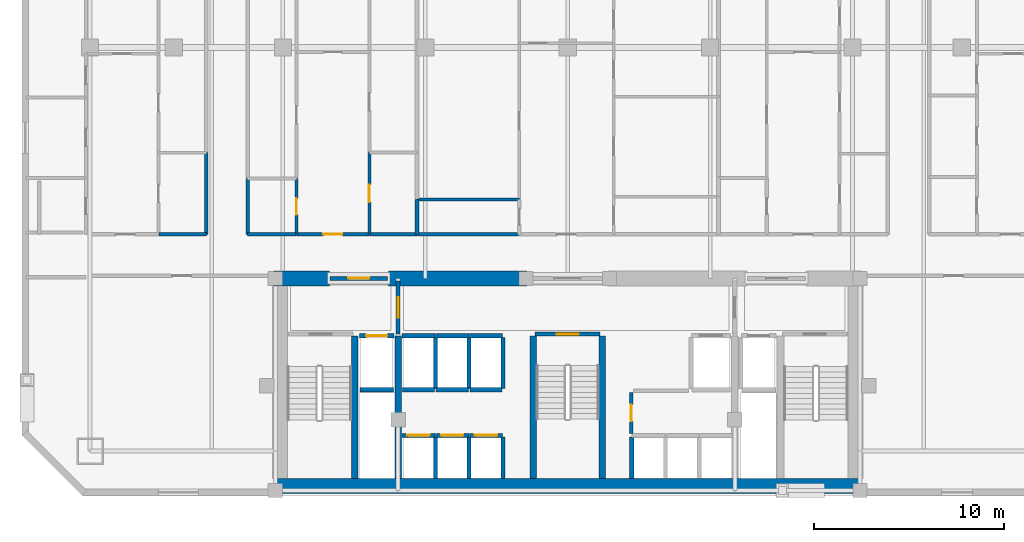
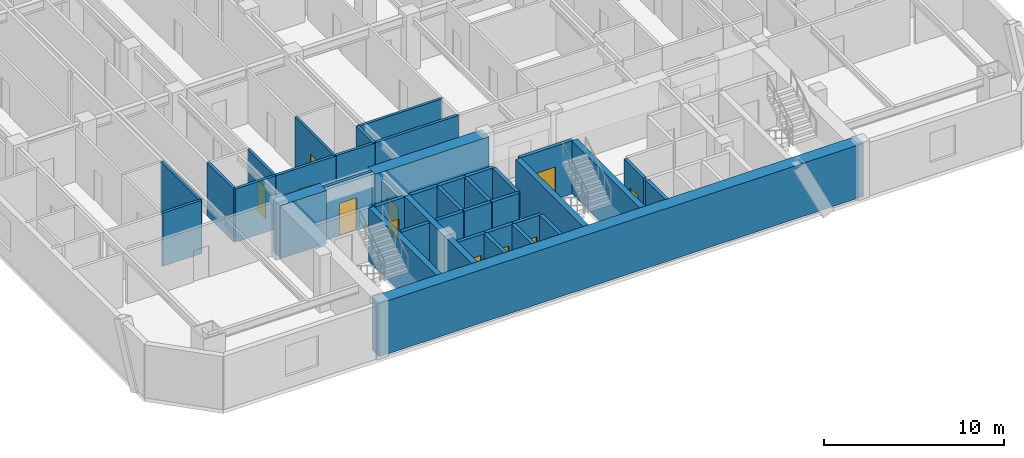
# One storey, part 3 of 10: 40 walls, 11 doors, 11 openings.
"""IFC4 building model written with IfcOpenShell, lengths in metres."""

from ifc_helpers import new_model, si_unit, direction, frame, frame_2d, origin, place, context, subcontext, project, spatial, rectangle, extrude, material, layer, layer_set, type_object, element, fill, save


model = new_model("IFC4")

# Units and contexts
model_context = context("Model", 3, precision=1e-05, world=origin(), true_north=direction((0.0, 1.0)))
body_context = subcontext(model_context, "Body", "Model", "MODEL_VIEW")
ifc_project = project(units=[si_unit("LENGTHUNIT", "METRE"), si_unit("AREAUNIT", "SQUARE_METRE"), si_unit("VOLUMEUNIT", "CUBIC_METRE"), si_unit("PLANEANGLEUNIT", "RADIAN"), si_unit("MASSUNIT", "GRAM", prefix="KILO")], contexts=[model_context])

# Site, building, storey
site_placement = place(None, origin())
site = spatial("IfcSite", under=ifc_project, at=site_placement, CompositionType="ELEMENT")
building_placement = place(site_placement, origin())
building = spatial("IfcBuilding", under=site, at=building_placement, Name="Ventersveld Concourse Tower", CompositionType="ELEMENT")
storey_placement = place(building_placement, frame((0.0, 0.0, 64.449951171875)))
storey = spatial("IfcBuildingStorey", under=building, at=storey_placement, Name="L15", CompositionType="ELEMENT", Elevation=64.449951171875)

# Walls
ifc_material_1 = material(Name="Concrete C60/75", Category="concrete")
ifc_layer_1 = layer(ifc_material_1, 0.35009765625)
ifc_layer_set_1 = layer_set([ifc_layer_1], Name="Concrete C60/75")
wall_type_1 = type_object("IfcWallType", Name="WL-CORE-350L", PredefinedType="SHEAR", material=ifc_layer_set_1)
for number, where, z_axis, x_axis, name in (
    (1, (17.5400390625, 0.919921875, 0.0), (0.0, 0.0, 1.0), (0.0, 1.0, 0.0), "L15 Core Internal Shear Web W-ST1-E"),
    (2, (19.820068359375, 0.919921875, 0.0), (0.0, 0.0, 1.0), (0.0, 1.0, 0.0), "L15 Core Internal Shear Web W-FF1-E"),
    (3, (26.93994140625, 0.919921875, 0.0), (0.0, 0.0, 1.0), (0.0, 1.0, 0.0), "L15 Core Internal Shear Web W-ST3-W"),
    (4, (30.56005859375, 0.919921875, 0.0), (0.0, 0.0, 1.0), (0.0, 1.0, 0.0), "L15 Core Internal Shear Web W-ST3-E"),
):
    element("IfcWall", number, at=place(storey_placement, frame(where, z_axis=z_axis, x_axis=x_axis)), inside=storey, type_object=wall_type_1, Name=name, PredefinedType="SHEAR", context=body_context, shape_type="SweptSolid", body=[
        extrude(rectangle(XDim=7.5, YDim=0.35009765625, at=frame_2d((3.75, 0.0))), origin(), (0.0, 0.0, 1.0), 3.60009765625),
    ])
ifc_layer_2 = layer(ifc_material_1, 0.800048828125)
ifc_layer_set_2 = layer_set([ifc_layer_2], Name="Concrete C60/75")
wall_type_2 = type_object("IfcWallType", Name="WL-CORE-800", PredefinedType="SHEAR", material=ifc_layer_set_2)
wall_1_placement = place(storey_placement, frame((13.25, 0.52001953125, 0.0), z_axis=(0.0, 0.0, 1.0), x_axis=(1.0, 0.0, 0.0)))
element("IfcWall", 5, at=wall_1_placement, inside=storey, type_object=wall_type_2, Name="L15 Rear Core South Shear Wall", PredefinedType="SHEAR", context=body_context, shape_type="SweptSolid", body=[
    extrude(rectangle(XDim=31.0, YDim=0.800048828125, at=frame_2d((15.5, 0.0))), origin(), (0.0, 0.0, 1.0), 3.60009765625),
])
wall_2_placement = place(storey_placement, frame((13.25, 11.449951171875, 0.0), z_axis=(0.0, 0.0, 1.0), x_axis=(1.0, 0.0, 0.0)))
element("IfcWall", 6, at=wall_2_placement, inside=storey, type_object=wall_type_2, Name="L15 Rear Core North Shear Wall NW", PredefinedType="SHEAR", context=body_context, shape_type="SweptSolid", body=[
    extrude(rectangle(XDim=2.949951171875, YDim=0.800048828125, at=frame_2d((1.47509765625, 0.0))), origin(), (0.0, 0.0, 1.0), 3.60009765625),
])
wall_3_placement = place(storey_placement, frame((19.300048828125, 11.449951171875, 0.0), z_axis=(0.0, 0.0, 1.0), x_axis=(1.0, 0.0, 0.0)))
element("IfcWall", 7, at=wall_3_placement, inside=storey, type_object=wall_type_2, Name="L15 Rear Core North Shear Wall NML", PredefinedType="SHEAR", context=body_context, shape_type="SweptSolid", body=[
    extrude(rectangle(XDim=7.300048828125, YDim=0.800048828125, at=frame_2d((3.64990234375, 0.0))), origin(), (0.0, 0.0, 1.0), 3.60009765625),
])

# Wall, opening, door
ifc_material_2 = material(Name="Fire-rated autoclaved aerated masonry blockwork", Category="masonry")
ifc_layer_3 = layer(ifc_material_2, 0.179931640625)
ifc_layer_set_3 = layer_set([ifc_layer_3], Name="Fire-rated autoclaved aerated masonry blockwork")
wall_type_3 = type_object("IfcWallType", Name="WL-CORR-180", PredefinedType="PARTITIONING", material=ifc_layer_set_3)
wall_4_placement = place(storey_placement, frame((32.10009765625, 3.280029296875, 0.0), z_axis=(0.0, 0.0, 1.0), x_axis=(0.0, 1.0, 0.0)))
wall_4 = element("IfcWall", 8, at=wall_4_placement, inside=storey, type_object=wall_type_3, Name="L15 Core Passage Wall SP-L15-CBAY2", PredefinedType="PARTITIONING", context=body_context, shape_type="SweptSolid", body=[
    extrude(rectangle(XDim=2.169921875, YDim=0.179931640625, at=frame_2d((1.0849609375, 0.0))), origin(), (0.0, 0.0, 1.0), 3.60009765625),
])
opening_1_placement = place(wall_4_placement, frame((0.64501953125, 0.0, 0.0)))
opening_1 = element("IfcOpeningElement", 9, at=opening_1_placement, cuts=wall_4, Name="Opening FD5", PredefinedType="OPENING", context=body_context, shape_type="SweptSolid", body=[
    extrude(rectangle(XDim=0.8798828125, YDim=2.050048828125, at=frame_2d((0.43994140625, 1.02490234375))), frame((0.0, 0.10009765625, 0.0), z_axis=(0.0, -1.0, 0.0), x_axis=(1.0, 0.0, 0.0)), (0.0, 0.0, 1.0), 0.199951171875),
])
ifc_material_3 = material(Name="Galvanised painted steel", Category="steel")
door_type_1 = type_object("IfcDoorType", Name="DR-RISER-088", OperationType="NOTDEFINED", PredefinedType="DOOR", material=ifc_material_3)
door_1_placement = place(opening_1_placement, origin())
door_1 = element("IfcDoor", 10, at=door_1_placement, inside=storey, type_object=door_type_1, Name="L15 Core Room Door L15 Core Parcel and Mail Store (CD-L15-0654)", OperationType="SINGLE_SWING_LEFT", OverallHeight=2.050048828125, OverallWidth=0.8798828125, PredefinedType="DOOR", context=body_context, shape_type="SweptSolid", body=[
    extrude(rectangle(XDim=0.8798828125, YDim=2.050048828125, at=frame_2d((0.43994140625, 1.02490234375))), frame((0.0, 0.02490234375, 0.0), z_axis=(0.0, -1.0, 0.0), x_axis=(1.0, 0.0, 0.0)), (0.0, 0.0, 1.0), 0.050048828125),
])
fill(opening_1, door_1)

# Walls
wall_5_placement = place(storey_placement, frame((9.7099609375, 13.764892578125, 0.0), z_axis=(0.0, 0.0, 1.0), x_axis=(0.0, 1.0, 0.0)))
element("IfcWall", 11, at=wall_5_placement, inside=storey, type_object=wall_type_3, Name="L15 Interior Partition SP-L15-COR-SP-L15-15NW-KIT", PredefinedType="PARTITIONING", context=body_context, shape_type="SweptSolid", body=[
    extrude(rectangle(XDim=4.30859375, YDim=0.179931640625, at=frame_2d((2.154296875, 0.0))), origin(), (0.0, 0.0, 1.0), 3.60009765625),
])
wall_6_placement = place(storey_placement, frame((7.234130859375, 13.77001953125, 0.0), z_axis=(0.0, 0.0, 1.0), x_axis=(1.0, 0.0, 0.0)))
element("IfcWall", 12, at=wall_6_placement, inside=storey, type_object=wall_type_3, Name="L15 Interior Partition SP-L15-COR-SP-L15-15NW-KIT", PredefinedType="PARTITIONING", context=body_context, shape_type="SweptSolid", body=[
    extrude(rectangle(XDim=2.48095703125, YDim=0.179931640625, at=frame_2d((1.240478515625, 0.0))), origin(), (0.0, 0.0, 1.0), 3.60009765625),
])

# Wall, opening, door
wall_7_placement = place(storey_placement, frame((14.461181640625, 13.77001953125, 0.0), z_axis=(0.0, 0.0, 1.0), x_axis=(1.0, 0.0, 0.0)))
wall_7 = element("IfcWall", 13, at=wall_7_placement, inside=storey, type_object=wall_type_3, Name="L15 Interior Partition SP-L15-COR-SP-L15-15CW-FOY", PredefinedType="PARTITIONING", context=body_context, shape_type="SweptSolid", body=[
    extrude(rectangle(XDim=3.850341796875, YDim=0.179931640625, at=frame_2d((1.92529296875, 0.0))), origin(), (0.0, 0.0, 1.0), 3.60009765625),
])
opening_2_placement = place(wall_7_placement, frame((1.42529296875, 0.0, 0.0)))
opening_2 = element("IfcOpeningElement", 14, at=opening_2_placement, cuts=wall_7, Name="Opening FD3", PredefinedType="OPENING", context=body_context, shape_type="SweptSolid", body=[
    extrude(rectangle(XDim=1.0, YDim=2.14990234375, at=frame_2d((0.5, 1.074951171875))), frame((0.0, 0.10009765625, 0.0), z_axis=(0.0, -1.0, 0.0), x_axis=(1.0, 0.0, 0.0)), (0.0, 0.0, 1.0), 0.199951171875),
])
ifc_material_4 = material(Name="Solid-core hardwood veneer timber", Category="wood")
door_type_2 = type_object("IfcDoorType", Name="DR-FLAT-100", OperationType="NOTDEFINED", PredefinedType="DOOR", material=ifc_material_4)
door_2_placement = place(opening_2_placement, origin())
door_2 = element("IfcDoor", 15, at=door_2_placement, inside=storey, type_object=door_type_2, Name="L15 Interior Door SP-L15-COR to SP-L15-15CW-FOY (FD-L15-0659)", OperationType="SINGLE_SWING_LEFT", OverallHeight=2.14990234375, OverallWidth=1.0, PredefinedType="DOOR", context=body_context, shape_type="SweptSolid", body=[
    extrude(rectangle(XDim=1.0, YDim=2.14990234375, at=frame_2d((0.5, 1.074951171875))), frame((0.0, 0.02490234375, 0.0), z_axis=(0.0, -1.0, 0.0), x_axis=(1.0, 0.0, 0.0)), (0.0, 0.0, 1.0), 0.050048828125),
])
fill(opening_2, door_2)

# Walls
wall_8_placement = place(storey_placement, frame((11.889892578125, 13.764892578125, 0.0), z_axis=(0.0, 0.0, 1.0), x_axis=(0.0, 1.0, 0.0)))
element("IfcWall", 16, at=wall_8_placement, inside=storey, type_object=wall_type_3, Name="L15 Interior Partition SP-L15-COR-SP-L15-15CW-BATH", PredefinedType="PARTITIONING", context=body_context, shape_type="SweptSolid", body=[
    extrude(rectangle(XDim=2.944580078125, YDim=0.179931640625, at=frame_2d((1.47216796875, 0.0))), origin(), (0.0, 0.0, 1.0), 3.60009765625),
])
wall_9_placement = place(storey_placement, frame((11.885009765625, 13.77001953125, 0.0), z_axis=(0.0, 0.0, 1.0), x_axis=(1.0, 0.0, 0.0)))
element("IfcWall", 17, at=wall_9_placement, inside=storey, type_object=wall_type_3, Name="L15 Interior Partition SP-L15-COR-SP-L15-15CW-BATH", PredefinedType="PARTITIONING", context=body_context, shape_type="SweptSolid", body=[
    extrude(rectangle(XDim=2.546142578125, YDim=0.179931640625, at=frame_2d((1.27294921875, 0.0))), origin(), (0.0, 0.0, 1.0), 3.60009765625),
])
wall_10_placement = place(storey_placement, frame((18.341552734375, 13.77001953125, 0.0), z_axis=(0.0, 0.0, 1.0), x_axis=(1.0, 0.0, 0.0)))
element("IfcWall", 18, at=wall_10_placement, inside=storey, type_object=wall_type_3, Name="L15 Interior Partition SP-L15-COR-SP-L15-15CW-KIT", PredefinedType="PARTITIONING", context=body_context, shape_type="SweptSolid", body=[
    extrude(rectangle(XDim=2.473388671875, YDim=0.179931640625, at=frame_2d((1.23681640625, 0.0))), origin(), (0.0, 0.0, 1.0), 3.60009765625),
])
wall_11_placement = place(storey_placement, frame((20.844970703125, 13.77001953125, 0.0), z_axis=(0.0, 0.0, 1.0), x_axis=(1.0, 0.0, 0.0)))
element("IfcWall", 19, at=wall_11_placement, inside=storey, type_object=wall_type_3, Name="L15 Interior Partition SP-L15-COR-SP-L15-15CM-BATH", PredefinedType="PARTITIONING", context=body_context, shape_type="SweptSolid", body=[
    extrude(rectangle(XDim=5.314697265625, YDim=0.179931640625, at=frame_2d((2.6572265625, 0.0))), origin(), (0.0, 0.0, 1.0), 3.60009765625),
])
ifc_layer_4 = layer(ifc_material_2, 0.199951171875)
ifc_layer_set_4 = layer_set([ifc_layer_4], Name="Fire-rated autoclaved aerated masonry blockwork")
wall_type_4 = type_object("IfcWallType", Name="WL-DEMISE-200", PredefinedType="PARTITIONING", material=ifc_layer_set_4)
wall_12_placement = place(storey_placement, frame((20.81005859375, 13.764892578125, 0.0), z_axis=(0.0, 0.0, 1.0), x_axis=(0.0, 1.0, 0.0)))
element("IfcWall", 20, at=wall_12_placement, inside=storey, type_object=wall_type_4, Name="L15 Interior Partition SP-L15-15CW-KIT-SP-L15-15CM-BATH", PredefinedType="PARTITIONING", context=body_context, shape_type="SweptSolid", body=[
    extrude(rectangle(XDim=1.840087890625, YDim=0.199951171875, at=frame_2d((0.919921875, 0.0))), origin(), (0.0, 0.0, 1.0), 3.60009765625),
])
ifc_layer_5 = layer(ifc_material_2, 0.219970703125)
ifc_layer_set_5 = layer_set([ifc_layer_5], Name="Fire-rated autoclaved aerated masonry blockwork")
wall_type_5 = type_object("IfcWallType", Name="WL-HOIST-220", PredefinedType="SOLIDWALL", material=ifc_layer_set_5)
wall_13_placement = place(storey_placement, frame((17.800048828125, 5.590087890625, 0.0), z_axis=(0.0, 0.0, 1.0), x_axis=(1.0, 0.0, 0.0)))
element("IfcWall", 21, at=wall_13_placement, inside=storey, type_object=wall_type_5, Name="L15 Lift Hoistway Back Wall FFL-01", PredefinedType="SOLIDWALL", context=body_context, shape_type="SweptSolid", body=[
    extrude(rectangle(XDim=1.780029296875, YDim=0.219970703125, at=frame_2d((0.89013671875, 0.0))), origin(), (0.0, 0.0, 1.0), 3.60009765625),
])

# Wall, opening, door
wall_14_placement = place(storey_placement, frame((17.780029296875, 8.429931640625, 0.0), z_axis=(0.0, 0.0, 1.0), x_axis=(1.0, 0.0, 0.0)))
wall_14 = element("IfcWall", 22, at=wall_14_placement, inside=storey, type_object=wall_type_5, Name="L15 Lift Hoistway Front Wall FFL-01", PredefinedType="SOLIDWALL", context=body_context, shape_type="SweptSolid", body=[
    extrude(rectangle(XDim=1.820068359375, YDim=0.219970703125, at=frame_2d((0.91015625, 0.0))), origin(), (0.0, 0.0, 1.0), 3.60009765625),
])
opening_3_placement = place(wall_14_placement, frame((0.35009765625, 0.0, 0.0)))
opening_3 = element("IfcOpeningElement", 23, at=opening_3_placement, cuts=wall_14, Name="Opening LD1", PredefinedType="OPENING", context=body_context, shape_type="SweptSolid", body=[
    extrude(rectangle(XDim=1.1201171875, YDim=2.25, at=frame_2d((0.56005859375, 1.125))), frame((0.0, 0.1201171875, 0.0), z_axis=(0.0, -1.0, 0.0), x_axis=(1.0, 0.0, 0.0)), (0.0, 0.0, 1.0), 0.239990234375),
])
ifc_material_5 = material(Name="Brushed stainless steel 316", Category="steel")
door_type_3 = type_object("IfcDoorType", Name="LD-FF-112", OperationType="SLIDING_TO_LEFT", PredefinedType="DOOR", material=ifc_material_5)
door_3_placement = place(opening_3_placement, origin())
door_3 = element("IfcDoor", 24, at=door_3_placement, inside=storey, type_object=door_type_3, Name="L15 Lift landing door FFL-01 (LD-L15-FFL-01)", OperationType="SLIDING_TO_LEFT", OverallHeight=2.25, OverallWidth=1.1201171875, PredefinedType="DOOR", context=body_context, shape_type="SweptSolid", body=[
    extrude(rectangle(XDim=1.1201171875, YDim=2.25, at=frame_2d((0.56005859375, 1.125))), frame((0.0, 0.02490234375, 0.0), z_axis=(0.0, -1.0, 0.0), x_axis=(1.0, 0.0, 0.0)), (0.0, 0.0, 1.0), 0.050048828125),
])
fill(opening_3, door_3)

# Wall
wall_15_placement = place(storey_placement, frame((21.780029296875, 0.89990234375, 0.0), z_axis=(0.0, 0.0, 1.0), x_axis=(0.0, 1.0, 0.0)))
element("IfcWall", 25, at=wall_15_placement, inside=storey, type_object=wall_type_5, Name="L15 Lift Hoistway Side Wall PL-01E", PredefinedType="SOLIDWALL", context=body_context, shape_type="SweptSolid", body=[
    extrude(rectangle(XDim=2.2001953125, YDim=0.219970703125, at=frame_2d((1.10009765625, 0.0))), origin(), (0.0, 0.0, 1.0), 3.60009765625),
])

# Wall, opening, door
wall_16_placement = place(storey_placement, frame((20.02001953125, 3.179931640625, 0.0), z_axis=(0.0, 0.0, 1.0), x_axis=(1.0, 0.0, 0.0)))
wall_16 = element("IfcWall", 26, at=wall_16_placement, inside=storey, type_object=wall_type_5, Name="L15 Lift Hoistway Front Wall PL-01", PredefinedType="SOLIDWALL", context=body_context, shape_type="SweptSolid", body=[
    extrude(rectangle(XDim=1.739990234375, YDim=0.219970703125, at=frame_2d((0.8701171875, 0.0))), origin(), (0.0, 0.0, 1.0), 3.60009765625),
])
opening_4_placement = place(wall_16_placement, frame((0.280029296875, 0.0, 0.0)))
opening_4 = element("IfcOpeningElement", 27, at=opening_4_placement, cuts=wall_16, Name="Opening LD2", PredefinedType="OPENING", context=body_context, shape_type="SweptSolid", body=[
    extrude(rectangle(XDim=1.179931640625, YDim=2.199951171875, at=frame_2d((0.58984375, 1.10009765625))), frame((0.0, 0.1201171875, 0.0), z_axis=(0.0, -1.0, 0.0), x_axis=(1.0, 0.0, 0.0)), (0.0, 0.0, 1.0), 0.239990234375),
])
door_type_4 = type_object("IfcDoorType", Name="LD-PAX-118", OperationType="SLIDING_TO_LEFT", PredefinedType="DOOR", material=ifc_material_5)
door_4_placement = place(opening_4_placement, origin())
door_4 = element("IfcDoor", 28, at=door_4_placement, inside=storey, type_object=door_type_4, Name="L15 Lift landing door PL-01 (LD-L15-PL-01)", OperationType="SLIDING_TO_RIGHT", OverallHeight=2.199951171875, OverallWidth=1.179931640625, PredefinedType="DOOR", context=body_context, shape_type="SweptSolid", body=[
    extrude(rectangle(XDim=1.179931640625, YDim=2.199951171875, at=frame_2d((0.58984375, 1.10009765625))), frame((0.0, 0.02490234375, 0.0), z_axis=(0.0, -1.0, 0.0), x_axis=(1.0, 0.0, 0.0)), (0.0, 0.0, 1.0), 0.050048828125),
])
fill(opening_4, door_4)

# Wall
wall_17_placement = place(storey_placement, frame((23.56005859375, 0.89990234375, 0.0), z_axis=(0.0, 0.0, 1.0), x_axis=(0.0, 1.0, 0.0)))
element("IfcWall", 29, at=wall_17_placement, inside=storey, type_object=wall_type_5, Name="L15 Lift Hoistway Side Wall PL-02E", PredefinedType="SOLIDWALL", context=body_context, shape_type="SweptSolid", body=[
    extrude(rectangle(XDim=2.2001953125, YDim=0.219970703125, at=frame_2d((1.10009765625, 0.0))), origin(), (0.0, 0.0, 1.0), 3.60009765625),
])

# Wall, opening, door
wall_18_placement = place(storey_placement, frame((21.800048828125, 3.179931640625, 0.0), z_axis=(0.0, 0.0, 1.0), x_axis=(1.0, 0.0, 0.0)))
wall_18 = element("IfcWall", 30, at=wall_18_placement, inside=storey, type_object=wall_type_5, Name="L15 Lift Hoistway Front Wall PL-02", PredefinedType="SOLIDWALL", context=body_context, shape_type="SweptSolid", body=[
    extrude(rectangle(XDim=1.739990234375, YDim=0.219970703125, at=frame_2d((0.8701171875, 0.0))), origin(), (0.0, 0.0, 1.0), 3.60009765625),
])
opening_5_placement = place(wall_18_placement, frame((0.280029296875, 0.0, 0.0)))
opening_5 = element("IfcOpeningElement", 31, at=opening_5_placement, cuts=wall_18, Name="Opening LD2", PredefinedType="OPENING", context=body_context, shape_type="SweptSolid", body=[
    extrude(rectangle(XDim=1.179931640625, YDim=2.199951171875, at=frame_2d((0.58984375, 1.10009765625))), frame((0.0, 0.1201171875, 0.0), z_axis=(0.0, -1.0, 0.0), x_axis=(1.0, 0.0, 0.0)), (0.0, 0.0, 1.0), 0.239990234375),
])
door_5_placement = place(opening_5_placement, origin())
door_5 = element("IfcDoor", 32, at=door_5_placement, inside=storey, type_object=door_type_4, Name="L15 Lift landing door PL-02 (LD-L15-PL-02)", OperationType="SLIDING_TO_LEFT", OverallHeight=2.199951171875, OverallWidth=1.179931640625, PredefinedType="DOOR", context=body_context, shape_type="SweptSolid", body=[
    extrude(rectangle(XDim=1.179931640625, YDim=2.199951171875, at=frame_2d((0.58984375, 1.10009765625))), frame((0.0, 0.02490234375, 0.0), z_axis=(0.0, -1.0, 0.0), x_axis=(1.0, 0.0, 0.0)), (0.0, 0.0, 1.0), 0.050048828125),
])
fill(opening_5, door_5)

# Wall
wall_19_placement = place(storey_placement, frame((25.340087890625, 0.89990234375, 0.0), z_axis=(0.0, 0.0, 1.0), x_axis=(0.0, 1.0, 0.0)))
element("IfcWall", 33, at=wall_19_placement, inside=storey, type_object=wall_type_5, Name="L15 Lift Hoistway Side Wall PL-03E", PredefinedType="SOLIDWALL", context=body_context, shape_type="SweptSolid", body=[
    extrude(rectangle(XDim=2.2001953125, YDim=0.219970703125, at=frame_2d((1.10009765625, 0.0))), origin(), (0.0, 0.0, 1.0), 3.60009765625),
])

# Wall, opening, door
wall_20_placement = place(storey_placement, frame((23.580078125, 3.179931640625, 0.0), z_axis=(0.0, 0.0, 1.0), x_axis=(1.0, 0.0, 0.0)))
wall_20 = element("IfcWall", 34, at=wall_20_placement, inside=storey, type_object=wall_type_5, Name="L15 Lift Hoistway Front Wall PL-03", PredefinedType="SOLIDWALL", context=body_context, shape_type="SweptSolid", body=[
    extrude(rectangle(XDim=1.739990234375, YDim=0.219970703125, at=frame_2d((0.8701171875, 0.0))), origin(), (0.0, 0.0, 1.0), 3.60009765625),
])
opening_6_placement = place(wall_20_placement, frame((0.280029296875, 0.0, 0.0)))
opening_6 = element("IfcOpeningElement", 35, at=opening_6_placement, cuts=wall_20, Name="Opening LD2", PredefinedType="OPENING", context=body_context, shape_type="SweptSolid", body=[
    extrude(rectangle(XDim=1.179931640625, YDim=2.199951171875, at=frame_2d((0.58984375, 1.10009765625))), frame((0.0, 0.1201171875, 0.0), z_axis=(0.0, -1.0, 0.0), x_axis=(1.0, 0.0, 0.0)), (0.0, 0.0, 1.0), 0.239990234375),
])
door_6_placement = place(opening_6_placement, origin())
door_6 = element("IfcDoor", 36, at=door_6_placement, inside=storey, type_object=door_type_4, Name="L15 Lift landing door PL-03 (LD-L15-PL-03)", OperationType="SLIDING_TO_RIGHT", OverallHeight=2.199951171875, OverallWidth=1.179931640625, PredefinedType="DOOR", context=body_context, shape_type="SweptSolid", body=[
    extrude(rectangle(XDim=1.179931640625, YDim=2.199951171875, at=frame_2d((0.58984375, 1.10009765625))), frame((0.0, 0.02490234375, 0.0), z_axis=(0.0, -1.0, 0.0), x_axis=(1.0, 0.0, 0.0)), (0.0, 0.0, 1.0), 0.050048828125),
])
fill(opening_6, door_6)

# Walls
wall_21_placement = place(storey_placement, frame((32.1201171875, 0.89990234375, 0.0), z_axis=(0.0, 0.0, 1.0), x_axis=(0.0, 1.0, 0.0)))
element("IfcWall", 37, at=wall_21_placement, inside=storey, type_object=wall_type_5, Name="L15 Lift Hoistway Side Wall PM-01W", PredefinedType="SOLIDWALL", context=body_context, shape_type="SweptSolid", body=[
    extrude(rectangle(XDim=2.2001953125, YDim=0.219970703125, at=frame_2d((1.10009765625, 0.0))), origin(), (0.0, 0.0, 1.0), 3.60009765625),
])
wall_22_placement = place(storey_placement, frame((20.0400390625, 5.590087890625, 0.0), z_axis=(0.0, 0.0, 1.0), x_axis=(1.0, 0.0, 0.0)))
element("IfcWall", 38, at=wall_22_placement, inside=storey, type_object=wall_type_5, Name="L15 Lift Hoistway Back Wall PH-01", PredefinedType="SOLIDWALL", context=body_context, shape_type="SweptSolid", body=[
    extrude(rectangle(XDim=1.699951171875, YDim=0.219970703125, at=frame_2d((0.85009765625, 0.0))), origin(), (0.0, 0.0, 1.0), 3.60009765625),
])
wall_23_placement = place(storey_placement, frame((21.780029296875, 5.64990234375, 0.0), z_axis=(0.0, 0.0, 1.0), x_axis=(0.0, 1.0, 0.0)))
element("IfcWall", 39, at=wall_23_placement, inside=storey, type_object=wall_type_5, Name="L15 Lift Hoistway Side Wall PH-01E", PredefinedType="SOLIDWALL", context=body_context, shape_type="SweptSolid", body=[
    extrude(rectangle(XDim=2.7001953125, YDim=0.219970703125, at=frame_2d((1.35009765625, 0.0))), origin(), (0.0, 0.0, 1.0), 3.60009765625),
])
wall_24_placement = place(storey_placement, frame((20.02001953125, 8.429931640625, 0.0), z_axis=(0.0, 0.0, 1.0), x_axis=(1.0, 0.0, 0.0)))
element("IfcWall", 40, at=wall_24_placement, inside=storey, type_object=wall_type_5, Name="L15 Lift Hoistway Front Wall PH-01", PredefinedType="SOLIDWALL", context=body_context, shape_type="SweptSolid", body=[
    extrude(rectangle(XDim=1.739990234375, YDim=0.219970703125, at=frame_2d((0.8701171875, 0.0))), origin(), (0.0, 0.0, 1.0), 3.60009765625),
])
wall_25_placement = place(storey_placement, frame((21.820068359375, 5.590087890625, 0.0), z_axis=(0.0, 0.0, 1.0), x_axis=(1.0, 0.0, 0.0)))
element("IfcWall", 41, at=wall_25_placement, inside=storey, type_object=wall_type_5, Name="L15 Lift Hoistway Back Wall PH-02", PredefinedType="SOLIDWALL", context=body_context, shape_type="SweptSolid", body=[
    extrude(rectangle(XDim=1.699951171875, YDim=0.219970703125, at=frame_2d((0.85009765625, 0.0))), origin(), (0.0, 0.0, 1.0), 3.60009765625),
])
wall_26_placement = place(storey_placement, frame((23.56005859375, 5.64990234375, 0.0), z_axis=(0.0, 0.0, 1.0), x_axis=(0.0, 1.0, 0.0)))
element("IfcWall", 42, at=wall_26_placement, inside=storey, type_object=wall_type_5, Name="L15 Lift Hoistway Side Wall PH-02E", PredefinedType="SOLIDWALL", context=body_context, shape_type="SweptSolid", body=[
    extrude(rectangle(XDim=2.7001953125, YDim=0.219970703125, at=frame_2d((1.35009765625, 0.0))), origin(), (0.0, 0.0, 1.0), 3.60009765625),
])
wall_27_placement = place(storey_placement, frame((21.800048828125, 8.429931640625, 0.0), z_axis=(0.0, 0.0, 1.0), x_axis=(1.0, 0.0, 0.0)))
element("IfcWall", 43, at=wall_27_placement, inside=storey, type_object=wall_type_5, Name="L15 Lift Hoistway Front Wall PH-02", PredefinedType="SOLIDWALL", context=body_context, shape_type="SweptSolid", body=[
    extrude(rectangle(XDim=1.739990234375, YDim=0.219970703125, at=frame_2d((0.8701171875, 0.0))), origin(), (0.0, 0.0, 1.0), 3.60009765625),
])
wall_28_placement = place(storey_placement, frame((23.60009765625, 5.590087890625, 0.0), z_axis=(0.0, 0.0, 1.0), x_axis=(1.0, 0.0, 0.0)))
element("IfcWall", 44, at=wall_28_placement, inside=storey, type_object=wall_type_5, Name="L15 Lift Hoistway Back Wall PH-03", PredefinedType="SOLIDWALL", context=body_context, shape_type="SweptSolid", body=[
    extrude(rectangle(XDim=1.699951171875, YDim=0.219970703125, at=frame_2d((0.85009765625, 0.0))), origin(), (0.0, 0.0, 1.0), 3.60009765625),
])
wall_29_placement = place(storey_placement, frame((25.340087890625, 5.64990234375, 0.0), z_axis=(0.0, 0.0, 1.0), x_axis=(0.0, 1.0, 0.0)))
element("IfcWall", 45, at=wall_29_placement, inside=storey, type_object=wall_type_5, Name="L15 Lift Hoistway Side Wall PH-03E", PredefinedType="SOLIDWALL", context=body_context, shape_type="SweptSolid", body=[
    extrude(rectangle(XDim=2.7001953125, YDim=0.219970703125, at=frame_2d((1.35009765625, 0.0))), origin(), (0.0, 0.0, 1.0), 3.60009765625),
])
wall_30_placement = place(storey_placement, frame((23.580078125, 8.429931640625, 0.0), z_axis=(0.0, 0.0, 1.0), x_axis=(1.0, 0.0, 0.0)))
element("IfcWall", 46, at=wall_30_placement, inside=storey, type_object=wall_type_5, Name="L15 Lift Hoistway Front Wall PH-03", PredefinedType="SOLIDWALL", context=body_context, shape_type="SweptSolid", body=[
    extrude(rectangle(XDim=1.739990234375, YDim=0.219970703125, at=frame_2d((0.8701171875, 0.0))), origin(), (0.0, 0.0, 1.0), 3.60009765625),
])

# Wall, opening, door
wall_31_placement = place(storey_placement, frame((27.0400390625, 8.52001953125, 0.0), z_axis=(0.0, 0.0, 1.0), x_axis=(1.0, 0.0, 0.0)))
wall_31 = element("IfcWall", 47, at=wall_31_placement, inside=storey, type_object=wall_type_5, Name="L15 Escape Stair ST03 Fire Wall", PredefinedType="SOLIDWALL", context=body_context, shape_type="SweptSolid", body=[
    extrude(rectangle(XDim=3.419921875, YDim=0.219970703125, at=frame_2d((1.7099609375, 0.0))), origin(), (0.0, 0.0, 1.0), 3.60009765625),
])
opening_7_placement = place(wall_31_placement, frame((1.135009765625, 0.0, 0.0)))
opening_7 = element("IfcOpeningElement", 48, at=opening_7_placement, cuts=wall_31, Name="Opening FD1", PredefinedType="OPENING", context=body_context, shape_type="SweptSolid", body=[
    extrude(rectangle(XDim=1.14990234375, YDim=2.199951171875, at=frame_2d((0.574951171875, 1.10009765625))), frame((0.0, 0.1201171875, 0.0), z_axis=(0.0, -1.0, 0.0), x_axis=(1.0, 0.0, 0.0)), (0.0, 0.0, 1.0), 0.239990234375),
])
door_type_5 = type_object("IfcDoorType", Name="DR-STAIR-115", OperationType="NOTDEFINED", PredefinedType="DOOR", material=ifc_material_3)
door_7_placement = place(opening_7_placement, origin())
door_7 = element("IfcDoor", 49, at=door_7_placement, inside=storey, type_object=door_type_5, Name="L15 Escape Stair Door ST03 (SD-L15-0648)", OperationType="SINGLE_SWING_LEFT", OverallHeight=2.199951171875, OverallWidth=1.14990234375, PredefinedType="DOOR", context=body_context, shape_type="SweptSolid", body=[
    extrude(rectangle(XDim=1.14990234375, YDim=2.199951171875, at=frame_2d((0.574951171875, 1.10009765625))), frame((0.0, 0.02490234375, 0.0), z_axis=(0.0, -1.0, 0.0), x_axis=(1.0, 0.0, 0.0)), (0.0, 0.0, 1.0), 0.050048828125),
])
fill(opening_7, door_7)

wall_32_placement = place(storey_placement, frame((19.820068359375, 8.52001953125, 0.0), z_axis=(0.0, 0.0, 1.0), x_axis=(0.0, 1.0, 0.0)))
wall_32 = element("IfcWall", 50, at=wall_32_placement, inside=storey, type_object=wall_type_5, Name="L15 Firefighting Lobby Smoke-Stop Wall FFLW-SEP", PredefinedType="SOLIDWALL", context=body_context, shape_type="SweptSolid", body=[
    extrude(rectangle(XDim=2.800048828125, YDim=0.219970703125, at=frame_2d((1.39990234375, 0.0))), origin(), (0.0, 0.0, 1.0), 3.0556640625),
])
opening_8_placement = place(wall_32_placement, frame((0.85009765625, 0.0, 0.0)))
opening_8 = element("IfcOpeningElement", 51, at=opening_8_placement, cuts=wall_32, Name="Opening FD2", PredefinedType="OPENING", context=body_context, shape_type="SweptSolid", body=[
    extrude(rectangle(XDim=1.10009765625, YDim=2.199951171875, at=frame_2d((0.550048828125, 1.10009765625))), frame((0.0, 0.1201171875, 0.0), z_axis=(0.0, -1.0, 0.0), x_axis=(1.0, 0.0, 0.0)), (0.0, 0.0, 1.0), 0.239990234375),
])
door_type_6 = type_object("IfcDoorType", Name="DR-FFL-110", OperationType="NOTDEFINED", PredefinedType="DOOR", material=ifc_material_3)
door_8_placement = place(opening_8_placement, origin())
door_8 = element("IfcDoor", 52, at=door_8_placement, inside=storey, type_object=door_type_6, Name="L15 Firefighting Lobby Door FFLW-SEP (FD-L15-0649)", OperationType="SINGLE_SWING_LEFT", OverallHeight=2.199951171875, OverallWidth=1.10009765625, PredefinedType="DOOR", context=body_context, shape_type="SweptSolid", body=[
    extrude(rectangle(XDim=1.10009765625, YDim=2.199951171875, at=frame_2d((0.550048828125, 1.10009765625))), frame((0.0, 0.02490234375, 0.0), z_axis=(0.0, -1.0, 0.0), x_axis=(1.0, 0.0, 0.0)), (0.0, 0.0, 1.0), 0.050048828125),
])
fill(opening_8, door_8)

wall_33_placement = place(storey_placement, frame((16.22998046875, 11.449951171875, 0.0), z_axis=(0.0, 0.0, 1.0), x_axis=(1.0, 0.0, 0.0)))
wall_33 = element("IfcWall", 53, at=wall_33_placement, inside=storey, type_object=wall_type_5, Name="L15 Core North Fire Portal FFLW-OUT", PredefinedType="SOLIDWALL", context=body_context, shape_type="SweptSolid", body=[
    extrude(rectangle(XDim=3.0400390625, YDim=0.219970703125, at=frame_2d((1.52001953125, 0.0))), origin(), (0.0, 0.0, 1.0), 3.60009765625),
])
opening_9_placement = place(wall_33_placement, frame((0.969970703125, 0.0, 0.0)))
opening_9 = element("IfcOpeningElement", 54, at=opening_9_placement, cuts=wall_33, Name="Opening FD2", PredefinedType="OPENING", context=body_context, shape_type="SweptSolid", body=[
    extrude(rectangle(XDim=1.10009765625, YDim=2.199951171875, at=frame_2d((0.550048828125, 1.10009765625))), frame((0.0, 0.1201171875, 0.0), z_axis=(0.0, -1.0, 0.0), x_axis=(1.0, 0.0, 0.0)), (0.0, 0.0, 1.0), 0.239990234375),
])
door_9_placement = place(opening_9_placement, origin())
door_9 = element("IfcDoor", 55, at=door_9_placement, inside=storey, type_object=door_type_6, Name="L15 Core Lobby Fire Door FFLW-OUT (FD-L15-0651)", OperationType="SINGLE_SWING_RIGHT", OverallHeight=2.199951171875, OverallWidth=1.10009765625, PredefinedType="DOOR", context=body_context, shape_type="SweptSolid", body=[
    extrude(rectangle(XDim=1.10009765625, YDim=2.199951171875, at=frame_2d((0.550048828125, 1.10009765625))), frame((0.0, 0.02490234375, 0.0), z_axis=(0.0, -1.0, 0.0), x_axis=(1.0, 0.0, 0.0)), (0.0, 0.0, 1.0), 0.050048828125),
])
fill(opening_9, door_9)

ifc_material_6 = material(Name="Autoclaved aerated masonry blockwork", Category="masonry")
ifc_layer_6 = layer(ifc_material_6, 0.14990234375)
ifc_layer_set_6 = layer_set([ifc_layer_6], Name="Autoclaved aerated masonry blockwork")
wall_type_6 = type_object("IfcWallType", Name="WL-INT-150", PredefinedType="PARTITIONING", material=ifc_layer_set_6)
wall_34_placement = place(storey_placement, frame((18.306640625, 13.764892578125, 0.0), z_axis=(0.0, 0.0, 1.0), x_axis=(0.0, 1.0, 0.0)))
wall_34 = element("IfcWall", 56, at=wall_34_placement, inside=storey, type_object=wall_type_6, Name="L15 Interior Partition SP-L15-15CW-FOY-SP-L15-15CW-KIT", PredefinedType="PARTITIONING", context=body_context, shape_type="SweptSolid", body=[
    extrude(rectangle(XDim=4.322021484375, YDim=0.14990234375, at=frame_2d((2.1611328125, 0.0))), origin(), (0.0, 0.0, 1.0), 3.60009765625),
])
opening_10_placement = place(wall_34_placement, frame((1.700927734375, 0.0, 0.0)))
opening_10 = element("IfcOpeningElement", 57, at=opening_10_placement, cuts=wall_34, Name="Opening ID1", PredefinedType="OPENING", context=body_context, shape_type="SweptSolid", body=[
    extrude(rectangle(XDim=0.919921875, YDim=2.10009765625, at=frame_2d((0.4599609375, 1.050048828125))), frame((0.0, 0.0849609375, 0.0), z_axis=(0.0, -1.0, 0.0), x_axis=(1.0, 0.0, 0.0)), (0.0, 0.0, 1.0), 0.169921875),
])
door_type_7 = type_object("IfcDoorType", Name="DR-ROOM-092", OperationType="NOTDEFINED", PredefinedType="DOOR", material=ifc_material_4)
door_10_placement = place(opening_10_placement, origin())
door_10 = element("IfcDoor", 58, at=door_10_placement, inside=storey, type_object=door_type_7, Name="L15 Interior Door SP-L15-15CW-FOY to SP-L15-15CW-KIT (D-L15-0686)", OperationType="SINGLE_SWING_RIGHT", OverallHeight=2.10009765625, OverallWidth=0.919921875, PredefinedType="DOOR", context=body_context, shape_type="SweptSolid", body=[
    extrude(rectangle(XDim=0.919921875, YDim=2.10009765625, at=frame_2d((0.4599609375, 1.050048828125))), frame((0.0, 0.02490234375, 0.0), z_axis=(0.0, -1.0, 0.0), x_axis=(1.0, 0.0, 0.0)), (0.0, 0.0, 1.0), 0.050048828125),
])
fill(opening_10, door_10)

ifc_layer_7 = layer(ifc_material_6, 0.1650390625)
ifc_layer_set_7 = layer_set([ifc_layer_7], Name="Autoclaved aerated masonry blockwork")
wall_type_7 = type_object("IfcWallType", Name="WL-WET-165", PredefinedType="PLUMBINGWALL", material=ifc_layer_set_7)
wall_35_placement = place(storey_placement, frame((14.46630859375, 13.764892578125, 0.0), z_axis=(0.0, 0.0, 1.0), x_axis=(0.0, 1.0, 0.0)))
wall_35 = element("IfcWall", 59, at=wall_35_placement, inside=storey, type_object=wall_type_7, Name="L15 Interior Partition SP-L15-15CW-FOY-SP-L15-15CW-BATH", PredefinedType="PLUMBINGWALL", context=body_context, shape_type="SweptSolid", body=[
    extrude(rectangle(XDim=2.944580078125, YDim=0.1650390625, at=frame_2d((1.47216796875, 0.0))), origin(), (0.0, 0.0, 1.0), 3.60009765625),
])
opening_11_placement = place(wall_35_placement, frame((1.047119140625, 0.0, 0.0)))
opening_11 = element("IfcOpeningElement", 60, at=opening_11_placement, cuts=wall_35, Name="Opening ID2", PredefinedType="OPENING", context=body_context, shape_type="SweptSolid", body=[
    extrude(rectangle(XDim=0.85009765625, YDim=2.10009765625, at=frame_2d((0.425048828125, 1.050048828125))), frame((0.0, 0.092529296875, 0.0), z_axis=(0.0, -1.0, 0.0), x_axis=(1.0, 0.0, 0.0)), (0.0, 0.0, 1.0), 0.18505859375),
])
door_type_8 = type_object("IfcDoorType", Name="DR-BATH-085", OperationType="NOTDEFINED", PredefinedType="DOOR", material=ifc_material_4)
door_11_placement = place(opening_11_placement, origin())
door_11 = element("IfcDoor", 61, at=door_11_placement, inside=storey, type_object=door_type_8, Name="L15 Interior Door SP-L15-15CW-FOY to SP-L15-15CW-BATH (D-L15-0684)", OperationType="SINGLE_SWING_RIGHT", OverallHeight=2.10009765625, OverallWidth=0.85009765625, PredefinedType="DOOR", context=body_context, shape_type="SweptSolid", body=[
    extrude(rectangle(XDim=0.85009765625, YDim=2.10009765625, at=frame_2d((0.425048828125, 1.050048828125))), frame((0.0, 0.02490234375, 0.0), z_axis=(0.0, -1.0, 0.0), x_axis=(1.0, 0.0, 0.0)), (0.0, 0.0, 1.0), 0.050048828125),
])
fill(opening_11, door_11)

# Wall
wall_36_placement = place(storey_placement, frame((20.804931640625, 15.60009765625, 0.0), z_axis=(0.0, 0.0, 1.0), x_axis=(1.0, 0.0, 0.0)))
element("IfcWall", 62, at=wall_36_placement, inside=storey, type_object=wall_type_7, Name="L15 Interior Partition SP-L15-15CM-BATH-SP-L15-15CM-DENL", PredefinedType="PLUMBINGWALL", context=body_context, shape_type="SweptSolid", body=[
    extrude(rectangle(XDim=5.394775390625, YDim=0.1650390625, at=frame_2d((2.697265625, 0.0))), origin(), (0.0, 0.0, 1.0), 3.60009765625),
])

save(model, "model.ifc")
